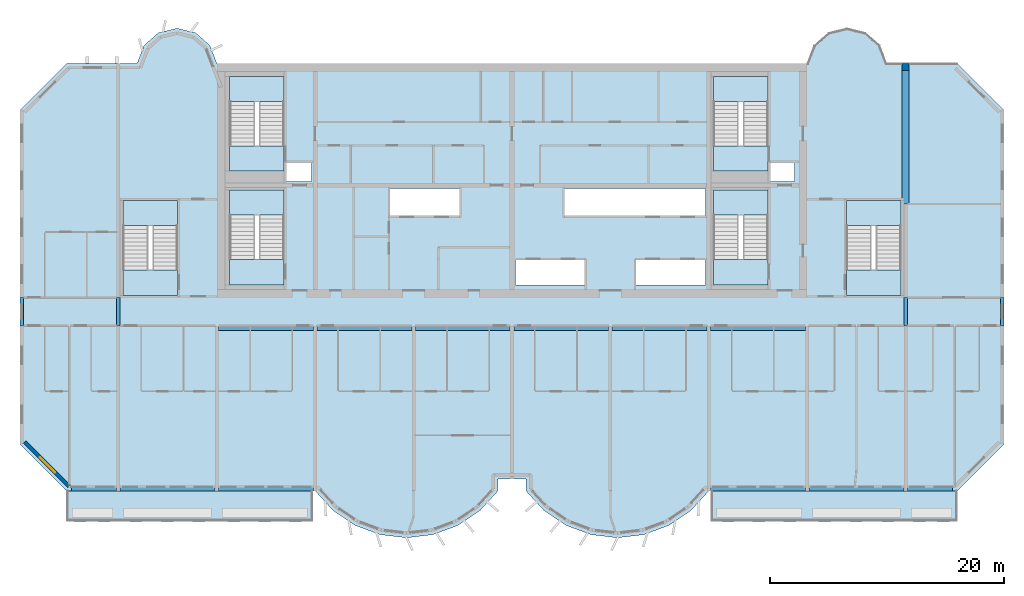
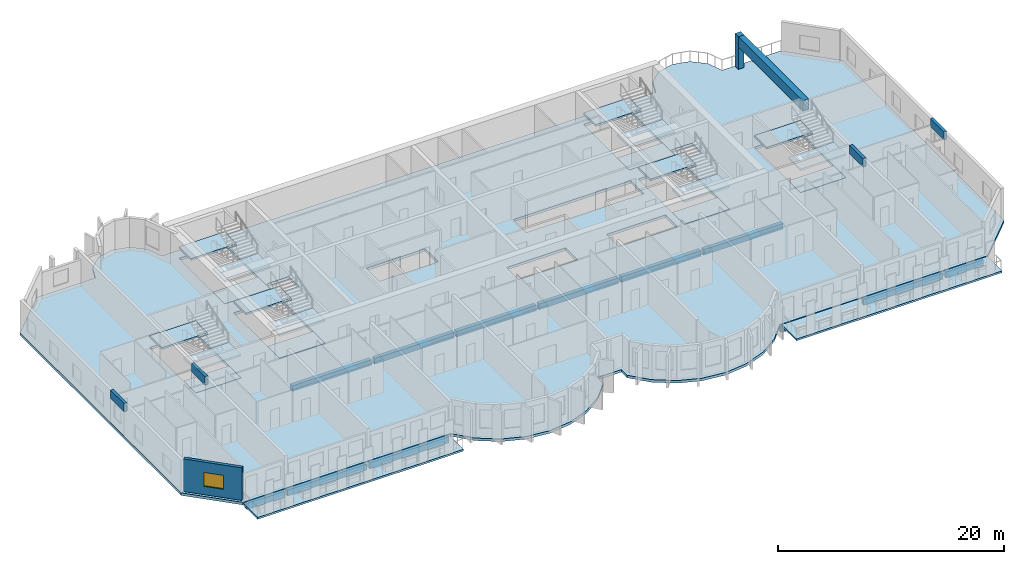
# One storey, part 1 of 13: 21 slabs, 17 beams, 1 column, 1 wall, 1 window, 1 opening, 6 elements without a shape of their own.
"""IFC4 building model written with IfcOpenShell, lengths in metres."""

from ifc_helpers import new_model, si_unit, direction, frame, frame_2d, origin, origin_2d, place, context, subcontext, project, spatial, polyline, rectangle, outline, extrude, source, transform, mapped, material, layer, layer_set, material_profile, profile_set, type_object, element, fill, aggregate, save


model = new_model("IFC4")

# Units and contexts
model_context = context("Model", 3, precision=1e-05, world=origin(), true_north=direction((0.0, 1.0)))
body_context = subcontext(model_context, "Body", "Model", "MODEL_VIEW")
ifc_project = project(units=[si_unit("LENGTHUNIT", "METRE"), si_unit("AREAUNIT", "SQUARE_METRE"), si_unit("VOLUMEUNIT", "CUBIC_METRE"), si_unit("PLANEANGLEUNIT", "RADIAN"), si_unit("MASSUNIT", "GRAM", prefix="KILO")], contexts=[model_context])

# Site, building, storey
site_placement = place(None, origin())
site = spatial("IfcSite", under=ifc_project, at=site_placement, CompositionType="ELEMENT")
building_placement = place(site_placement, origin())
building = spatial("IfcBuilding", under=site, at=building_placement, Name="Vanashikhar Sky Hotel", CompositionType="ELEMENT")
storey_placement = place(building_placement, frame((0.0, 0.0, 185.800048828125)))
storey = spatial("IfcBuildingStorey", under=building, at=storey_placement, Name="L45", CompositionType="ELEMENT", Elevation=185.800048828125)

# Column
ifc_material_1 = material(Name="Concrete M60", Category="concrete")
ifc_material_profile_1 = material_profile(ifc_material_1, rectangle(XDim=0.60009765625, YDim=0.60009765625, at=origin_2d()))
ifc_profile_set_1 = profile_set([ifc_material_profile_1], Name="RC 600x600 column Concrete M60")
column_type = type_object("IfcColumnType", Name="RC 600x600 column Concrete M60", PredefinedType="COLUMN", material=ifc_profile_set_1)
shared_shape_1 = source(origin(), body_context, "Body", "SweptSolid", [
    extrude(rectangle(XDim=0.60009765625, YDim=0.60009765625, at=origin_2d()), origin(), (0.0, 0.0, 1.0), 3.52001953125),
])
column_placement = place(storey_placement, frame((84.0, 41.699951171875, 0.0), z_axis=(0.0, 0.0, 1.0), x_axis=(1.0, 0.0, 0.0)))
element("IfcColumn", 1, at=column_placement, inside=storey, type_object=column_type, Name="CL-L45-CRF", PredefinedType="COLUMN", context=body_context, shape_type="MappedRepresentation", body=[
    mapped(shared_shape_1, transform((0.0, 0.0, 0.0), scale=1.0)),
])

# Beams
ifc_material_2 = material(Name="Concrete M50", Category="concrete")
ifc_material_profile_2 = material_profile(ifc_material_2, rectangle(XDim=0.60009765625, YDim=1.10009765625, at=origin_2d()))
ifc_profile_set_2 = profile_set([ifc_material_profile_2], Name="RC 600x1100 beam Concrete M50")
beam_type_1 = type_object("IfcBeamType", Name="RC 600x1100 beam Concrete M50", PredefinedType="BEAM", material=ifc_profile_set_2)
shared_shape_2 = source(origin(), body_context, "Body", "SweptSolid", [
    extrude(rectangle(XDim=0.60009765625, YDim=1.10009765625, at=origin_2d()), origin(), (0.0, 0.0, 1.0), 11.39990234375),
])
beam_1_placement = place(storey_placement, frame((84.0, 30.0, 2.969970703125), z_axis=(0.0, 1.0, 0.0), x_axis=(-1.0, 0.0, 0.0)))
element("IfcBeam", 2, at=beam_1_placement, inside=storey, type_object=beam_type_1, Name="LB-L45-XW11-O1", PredefinedType="BEAM", context=body_context, shape_type="MappedRepresentation", body=[
    mapped(shared_shape_2, transform((0.0, 0.0, 0.0), scale=1.0)),
])
ifc_material_profile_3 = material_profile(ifc_material_2, rectangle(XDim=0.300048828125, YDim=0.89990234375, at=origin_2d()))
ifc_profile_set_3 = profile_set([ifc_material_profile_3], Name="RC 300x900 beam Concrete M50")
beam_type_2 = type_object("IfcBeamType", Name="RC 300x900 beam Concrete M50", PredefinedType="LINTEL", material=ifc_profile_set_3)
shared_shape_3 = source(origin(), body_context, "Body", "SweptSolid", [
    extrude(rectangle(XDim=0.300048828125, YDim=0.89990234375, at=origin_2d()), origin(), (0.0, 0.0, 1.0), 2.39990234375),
])
for number, where, z_axis, x_axis, name in (
    (3, (8.550048828125, 19.60009765625, 3.070068359375), (0.0, 1.0, 0.0), (-1.0, 0.0, 0.0), "LB-L45-XW02"),
    (4, (16.800048828125, 19.60009765625, 3.070068359375), (0.0, 1.0, 0.0), (-1.0, 0.0, 0.0), "LB-L45-XW03"),
    (5, (84.0, 19.60009765625, 3.070068359375), (0.0, 1.0, 0.0), (-1.0, 0.0, 0.0), "LB-L45-XW11"),
    (6, (92.25, 19.60009765625, 3.070068359375), (0.0, 1.0, 0.0), (-1.0, 0.0, 0.0), "LB-L45-XW12"),
):
    element("IfcBeam", number, at=place(storey_placement, frame(where, z_axis=z_axis, x_axis=x_axis)), inside=storey, type_object=beam_type_2, Name=name, PredefinedType="LINTEL", context=body_context, shape_type="MappedRepresentation", body=[
        mapped(shared_shape_3, transform((0.0, 0.0, 0.0), scale=1.0)),
    ])
ifc_material_profile_4 = material_profile(ifc_material_2, rectangle(XDim=0.39990234375, YDim=0.64990234375, at=origin_2d()))
ifc_profile_set_4 = profile_set([ifc_material_profile_4], Name="RC 400x650 beam Concrete M50")
beam_type_3 = type_object("IfcBeamType", Name="RC 400x650 beam Concrete M50", PredefinedType="BEAM", material=ifc_profile_set_4)
shared_shape_4 = source(origin(), body_context, "Body", "SweptSolid", [
    extrude(rectangle(XDim=0.39990234375, YDim=0.64990234375, at=origin_2d()), origin(), (0.0, 0.0, 1.0), 8.10009765625),
])
for number, where, z_axis, x_axis, name in (
    (7, (16.949951171875, 5.699951171875, -0.60498046875), (1.0, 0.0, 0.0), (0.0, 1.0, 0.0), "EB-L45-F01"),
    (8, (75.75, 5.699951171875, -0.60498046875), (1.0, 0.0, 0.0), (0.0, 1.0, 0.0), "EB-L45-F05"),
):
    element("IfcBeam", number, at=place(storey_placement, frame(where, z_axis=z_axis, x_axis=x_axis)), inside=storey, type_object=beam_type_3, Name=name, PredefinedType="BEAM", context=body_context, shape_type="MappedRepresentation", body=[
        mapped(shared_shape_4, transform((0.0, 0.0, 0.0), scale=1.0)),
    ])
shared_shape_5 = source(origin(), body_context, "Body", "SweptSolid", [
    extrude(rectangle(XDim=0.39990234375, YDim=0.64990234375, at=origin_2d()), origin(), (0.0, 0.0, 1.0), 8.099853515625),
])
for number, where, z_axis, x_axis, name in (
    (9, (25.35009765625, 5.699951171875, -0.60498046875), (1.0, 0.0, 0.0), (0.0, 1.0, 0.0), "EB-L45-F02"),
    (10, (67.35009765625, 5.699951171875, -0.60498046875), (1.0, 0.0, 0.0), (0.0, 1.0, 0.0), "EB-L45-F04"),
):
    element("IfcBeam", number, at=place(storey_placement, frame(where, z_axis=z_axis, x_axis=x_axis)), inside=storey, type_object=beam_type_3, Name=name, PredefinedType="BEAM", context=body_context, shape_type="MappedRepresentation", body=[
        mapped(shared_shape_5, transform((0.0, 0.0, 0.0), scale=1.0)),
    ])
ifc_material_profile_5 = material_profile(ifc_material_2, rectangle(XDim=0.39990234375, YDim=0.64990234375, at=origin_2d()))
ifc_profile_set_5 = profile_set([ifc_material_profile_5], Name="RC 400x650 cantilever beam Concrete M50")
beam_type_4 = type_object("IfcBeamType", Name="RC 400x650 cantilever beam Concrete M50", PredefinedType="SPANDREL", material=ifc_profile_set_5)
shared_shape_6 = source(origin(), body_context, "Body", "SweptSolid", [
    extrude(rectangle(XDim=0.39990234375, YDim=0.64990234375, at=origin_2d()), origin(), (0.0, 0.0, 1.0), 3.849853515625),
])
beam_2_placement = place(storey_placement, frame((12.800048828125, 5.699951171875, -0.60498046875), z_axis=(1.0, 0.0, 0.0), x_axis=(0.0, 1.0, 0.0)))
element("IfcBeam", 11, at=beam_2_placement, inside=storey, type_object=beam_type_4, Name="EB-L45-F03", PredefinedType="SPANDREL", context=body_context, shape_type="MappedRepresentation", body=[
    mapped(shared_shape_6, transform((0.0, 0.0, 0.0), scale=1.0)),
])
shared_shape_7 = source(origin(), body_context, "Body", "SweptSolid", [
    extrude(rectangle(XDim=0.39990234375, YDim=0.64990234375, at=origin_2d()), origin(), (0.0, 0.0, 1.0), 3.85009765625),
])
beam_3_placement = place(storey_placement, frame((84.14990234375, 5.699951171875, -0.60498046875), z_axis=(1.0, 0.0, 0.0), x_axis=(0.0, 1.0, 0.0)))
element("IfcBeam", 12, at=beam_3_placement, inside=storey, type_object=beam_type_4, Name="EB-L45-F06", PredefinedType="SPANDREL", context=body_context, shape_type="MappedRepresentation", body=[
    mapped(shared_shape_7, transform((0.0, 0.0, 0.0), scale=1.0)),
])
ifc_material_profile_6 = material_profile(ifc_material_2, rectangle(XDim=0.39990234375, YDim=0.60009765625, at=origin_2d()))
ifc_profile_set_6 = profile_set([ifc_material_profile_6], Name="RC 400x600 beam Concrete M50")
beam_type_5 = type_object("IfcBeamType", Name="RC 400x600 beam Concrete M50", PredefinedType="BEAM", material=ifc_profile_set_6)
shared_shape_8 = source(origin(), body_context, "Body", "SweptSolid", [
    extrude(rectangle(XDim=0.39990234375, YDim=0.60009765625, at=origin_2d()), origin(), (0.0, 0.0, 1.0), 8.099853515625),
])
for number, where, z_axis, x_axis, name in (
    (13, (25.35009765625, 19.39990234375, -0.580078125), (1.0, 0.0, 0.0), (0.0, 1.0, 0.0), "CB-L45-01"),
    (14, (50.550048828125, 19.39990234375, -0.580078125), (1.0, 0.0, 0.0), (0.0, 1.0, 0.0), "CB-L45-04"),
    (15, (67.35009765625, 19.39990234375, -0.580078125), (1.0, 0.0, 0.0), (0.0, 1.0, 0.0), "CB-L45-06"),
):
    element("IfcBeam", number, at=place(storey_placement, frame(where, z_axis=z_axis, x_axis=x_axis)), inside=storey, type_object=beam_type_5, Name=name, PredefinedType="BEAM", context=body_context, shape_type="MappedRepresentation", body=[
        mapped(shared_shape_8, transform((0.0, 0.0, 0.0), scale=1.0)),
    ])
shared_shape_9 = source(origin(), body_context, "Body", "SweptSolid", [
    extrude(rectangle(XDim=0.39990234375, YDim=0.60009765625, at=origin_2d()), origin(), (0.0, 0.0, 1.0), 8.10009765625),
])
for number, where, z_axis, x_axis, name in (
    (16, (33.75, 19.39990234375, -0.580078125), (1.0, 0.0, 0.0), (0.0, 1.0, 0.0), "CB-L45-02"),
    (17, (42.14990234375, 19.39990234375, -0.580078125), (1.0, 0.0, 0.0), (0.0, 1.0, 0.0), "CB-L45-03"),
    (18, (58.949951171875, 19.39990234375, -0.580078125), (1.0, 0.0, 0.0), (0.0, 1.0, 0.0), "CB-L45-05"),
):
    element("IfcBeam", number, at=place(storey_placement, frame(where, z_axis=z_axis, x_axis=x_axis)), inside=storey, type_object=beam_type_5, Name=name, PredefinedType="BEAM", context=body_context, shape_type="MappedRepresentation", body=[
        mapped(shared_shape_9, transform((0.0, 0.0, 0.0), scale=1.0)),
    ])

# Slabs
ifc_material_3 = material(Name="Concrete M40", Category="concrete")
ifc_layer_1 = layer(ifc_material_3, 0.280029296875)
ifc_layer_set_1 = layer_set([ifc_layer_1], Name="Floor slab 280 mm")
slab_type_1 = type_object("IfcSlabType", Name="Floor slab 280 mm", PredefinedType="FLOOR", material=ifc_layer_set_1)
shared_shape_10 = source(origin(), body_context, "Body", "SweptSolid", [
    extrude(outline(polyline([(49.199951171875, 5.5), (49.199951171875, 6.5), (51.60009765625, 6.5), (51.60009765625, 5.5), (53.133056640625, 3.825927734375), (55.01708984375, 2.55810546875), (57.14599609375, 1.76806640625), (59.39990234375, 1.5), (61.654052734375, 1.76806640625), (63.782958984375, 2.55810546875), (65.6669921875, 3.825927734375), (67.199951171875, 5.5), (88.39990234375, 5.5), (92.39990234375, 9.5), (92.39990234375, 38.0), (88.39990234375, 42.0), (82.39990234375, 42.0), (81.81494140625, 43.527099609375), (80.587890625, 44.610107421875), (79.0, 45.0), (77.412109375, 44.610107421875), (76.18505859375, 43.527099609375), (75.60009765625, 42.0), (25.199951171875, 42.0), (24.614990234375, 43.527099609375), (23.387939453125, 44.610107421875), (21.800048828125, 45.0), (20.2119140625, 44.610107421875), (18.985107421875, 43.527099609375), (18.39990234375, 42.0), (12.39990234375, 42.0), (8.39990234375, 38.0), (8.39990234375, 9.5), (12.39990234375, 5.5), (33.60009765625, 5.5), (35.133056640625, 3.825927734375), (37.01708984375, 2.55810546875), (39.14599609375, 1.76806640625), (41.39990234375, 1.5), (43.654052734375, 1.76806640625), (45.782958984375, 2.55810546875), (47.6669921875, 3.825927734375), (49.199951171875, 5.5)]), holes=[polyline([(33.300048828125, 33.60009765625), (31.050048828125, 33.60009765625), (31.050048828125, 31.89990234375), (33.300048828125, 31.89990234375), (33.300048828125, 33.60009765625)]), polyline([(39.89990234375, 31.300048828125), (39.89990234375, 29.0), (45.89990234375, 29.0), (45.89990234375, 31.300048828125), (39.89990234375, 31.300048828125)]), polyline([(50.699951171875, 25.199951171875), (50.699951171875, 23.10009765625), (56.699951171875, 23.10009765625), (56.699951171875, 25.199951171875), (50.699951171875, 25.199951171875)]), polyline([(66.89990234375, 29.0), (66.89990234375, 31.300048828125), (54.89990234375, 31.300048828125), (54.89990234375, 29.0), (66.89990234375, 29.0)]), polyline([(60.89990234375, 25.199951171875), (60.89990234375, 23.10009765625), (66.89990234375, 23.10009765625), (66.89990234375, 25.199951171875), (60.89990234375, 25.199951171875)]), polyline([(74.5, 33.60009765625), (72.35009765625, 33.60009765625), (72.35009765625, 31.89990234375), (74.5, 31.89990234375), (74.5, 33.60009765625)]), polyline([(30.949951171875, 23.10009765625), (30.949951171875, 31.199951171875), (26.300048828125, 31.199951171875), (26.300048828125, 23.10009765625), (30.949951171875, 23.10009765625)]), polyline([(72.25, 23.10009765625), (72.25, 31.199951171875), (67.60009765625, 31.199951171875), (67.60009765625, 23.10009765625), (72.25, 23.10009765625)]), polyline([(30.949951171875, 32.800048828125), (30.949951171875, 40.89990234375), (26.300048828125, 40.89990234375), (26.300048828125, 32.800048828125), (30.949951171875, 32.800048828125)]), polyline([(72.25, 32.800048828125), (72.25, 40.89990234375), (67.60009765625, 40.89990234375), (67.60009765625, 32.800048828125), (72.25, 32.800048828125)]), polyline([(83.60009765625, 22.199951171875), (83.60009765625, 30.300048828125), (78.949951171875, 30.300048828125), (78.949951171875, 22.199951171875), (83.60009765625, 22.199951171875)]), polyline([(21.85009765625, 22.199951171875), (21.85009765625, 30.300048828125), (17.199951171875, 30.300048828125), (17.199951171875, 22.199951171875), (21.85009765625, 22.199951171875)])]), origin(), (0.0, 0.0, 1.0), 0.280029296875),
])
slab_1_placement = place(storey_placement, frame((0.0, 0.0, -0.280029296875)))
element("IfcSlab", 19, at=slab_1_placement, inside=storey, type_object=slab_type_1, Name="Floor slab L45", PredefinedType="FLOOR", context=body_context, shape_type="MappedRepresentation", body=[
    mapped(shared_shape_10, transform((0.0, 0.0, 0.0), scale=1.0)),
])
ifc_layer_2 = layer(ifc_material_3, 0.199951171875)
ifc_layer_set_2 = layer_set([ifc_layer_2], Name="Balcony slab 200 mm")
slab_type_2 = type_object("IfcSlabType", Name="Balcony slab 200 mm", PredefinedType="USERDEFINED", material=ifc_layer_set_2)
shared_shape_11 = source(origin(), body_context, "Body", "SweptSolid", [
    extrude(outline(polyline([(12.39990234375, 2.89990234375), (33.39990234375, 2.89990234375), (33.39990234375, 5.5), (12.39990234375, 5.5), (12.39990234375, 2.89990234375)])), origin(), (0.0, 0.0, 1.0), 0.199951171875),
])
slab_2_placement = place(storey_placement, frame((0.0, 0.0, -0.25)))
element("IfcSlab", 20, at=slab_2_placement, inside=storey, type_object=slab_type_2, Name="Balcony slab L45 1", ObjectType="BALCONY", PredefinedType="USERDEFINED", context=body_context, shape_type="MappedRepresentation", body=[
    mapped(shared_shape_11, transform((0.0, 0.0, 0.0), scale=1.0)),
])
shared_shape_12 = source(origin(), body_context, "Body", "SweptSolid", [
    extrude(outline(polyline([(67.39990234375, 2.89990234375), (88.39990234375, 2.89990234375), (88.39990234375, 5.5), (67.39990234375, 5.5), (67.39990234375, 2.89990234375)])), origin(), (0.0, 0.0, 1.0), 0.199951171875),
])
slab_3_placement = place(storey_placement, frame((0.0, 0.0, -0.25)))
element("IfcSlab", 21, at=slab_3_placement, inside=storey, type_object=slab_type_2, Name="Balcony slab L45 2", ObjectType="BALCONY", PredefinedType="USERDEFINED", context=body_context, shape_type="MappedRepresentation", body=[
    mapped(shared_shape_12, transform((0.0, 0.0, 0.0), scale=1.0)),
])

# Stair, slabs
stair_type = type_object("IfcStairType", Name="Exit stair 2150", PredefinedType="DOUBLE_RETURN_STAIR", material=ifc_material_3)
stair_1_placement = place(storey_placement, origin())
stair_1 = element("IfcStair", 22, at=stair_1_placement, inside=storey, type_object=stair_type, Name="L45 Exit stair 1", PredefinedType="DOUBLE_RETURN_STAIR")
ifc_layer_3 = layer(ifc_material_3, 0.199951171875)
ifc_layer_set_3 = layer_set([ifc_layer_3], Name="Stair landing 200")
slab_type_3 = type_object("IfcSlabType", Name="Stair landing 200", PredefinedType="LANDING", material=ifc_layer_set_3)
shared_shape_13 = source(origin(), body_context, "Body", "SweptSolid", [
    extrude(outline(polyline([(30.949951171875, 29.050048828125), (30.949951171875, 31.199951171875), (26.300048828125, 31.199951171875), (26.300048828125, 29.050048828125), (30.949951171875, 29.050048828125)])), origin(), (0.0, 0.0, 1.0), 0.199951171875),
])
slab_4_placement = place(storey_placement, frame((0.0, 0.0, 1.066650390625)))
slab_4 = element("IfcSlab", 23, at=slab_4_placement, type_object=slab_type_3, Name="ST-C1 landing 1", PredefinedType="LANDING", context=body_context, shape_type="MappedRepresentation", body=[
    mapped(shared_shape_13, transform((0.0, 0.0, 0.0), scale=1.0)),
])
shared_shape_14 = source(origin(), body_context, "Body", "SweptSolid", [
    extrude(outline(polyline([(30.949951171875, 23.10009765625), (30.949951171875, 25.25), (26.300048828125, 25.25), (26.300048828125, 23.10009765625), (30.949951171875, 23.10009765625)])), origin(), (0.0, 0.0, 1.0), 0.199951171875),
])
slab_5_placement = place(storey_placement, frame((0.0, 0.0, 2.333251953125)))
slab_5 = element("IfcSlab", 24, at=slab_5_placement, type_object=slab_type_3, Name="ST-C1 landing 2", PredefinedType="LANDING", context=body_context, shape_type="MappedRepresentation", body=[
    mapped(shared_shape_14, transform((0.0, 0.0, 0.0), scale=1.0)),
])
aggregate(stair_1, [slab_4, slab_5])

# Slab
ifc_layer_4 = layer(ifc_material_3, 0.280029296875)
ifc_layer_set_4 = layer_set([ifc_layer_4], Name="Stair floor landing 280")
slab_type_4 = type_object("IfcSlabType", Name="Stair floor landing 280", PredefinedType="LANDING", material=ifc_layer_set_4)
shared_shape_15 = source(origin(), body_context, "Body", "SweptSolid", [
    extrude(outline(polyline([(30.949951171875, 23.10009765625), (30.949951171875, 25.25), (26.300048828125, 25.25), (26.300048828125, 23.10009765625), (30.949951171875, 23.10009765625)])), origin(), (0.0, 0.0, 1.0), 0.280029296875),
])
slab_6_placement = place(storey_placement, frame((0.0, 0.0, -0.280029296875)))
element("IfcSlab", 25, at=slab_6_placement, inside=storey, type_object=slab_type_4, Name="Exit stair 1 floor landing", PredefinedType="LANDING", context=body_context, shape_type="MappedRepresentation", body=[
    mapped(shared_shape_15, transform((0.0, 0.0, 0.0), scale=1.0)),
])

# Stair, slabs
stair_2_placement = place(storey_placement, origin())
stair_2 = element("IfcStair", 26, at=stair_2_placement, inside=storey, type_object=stair_type, Name="L45 Exit stair 2", PredefinedType="DOUBLE_RETURN_STAIR")
shared_shape_16 = source(origin(), body_context, "Body", "SweptSolid", [
    extrude(outline(polyline([(72.25, 29.050048828125), (72.25, 31.199951171875), (67.60009765625, 31.199951171875), (67.60009765625, 29.050048828125), (72.25, 29.050048828125)])), origin(), (0.0, 0.0, 1.0), 0.199951171875),
])
slab_7_placement = place(storey_placement, frame((0.0, 0.0, 1.066650390625)))
slab_7 = element("IfcSlab", 27, at=slab_7_placement, type_object=slab_type_3, Name="ST-C2 landing 1", PredefinedType="LANDING", context=body_context, shape_type="MappedRepresentation", body=[
    mapped(shared_shape_16, transform((0.0, 0.0, 0.0), scale=1.0)),
])
shared_shape_17 = source(origin(), body_context, "Body", "SweptSolid", [
    extrude(outline(polyline([(72.25, 23.10009765625), (72.25, 25.25), (67.60009765625, 25.25), (67.60009765625, 23.10009765625), (72.25, 23.10009765625)])), origin(), (0.0, 0.0, 1.0), 0.199951171875),
])
slab_8_placement = place(storey_placement, frame((0.0, 0.0, 2.333251953125)))
slab_8 = element("IfcSlab", 28, at=slab_8_placement, type_object=slab_type_3, Name="ST-C2 landing 2", PredefinedType="LANDING", context=body_context, shape_type="MappedRepresentation", body=[
    mapped(shared_shape_17, transform((0.0, 0.0, 0.0), scale=1.0)),
])
aggregate(stair_2, [slab_7, slab_8])

# Slab
shared_shape_18 = source(origin(), body_context, "Body", "SweptSolid", [
    extrude(outline(polyline([(72.25, 23.10009765625), (72.25, 25.25), (67.60009765625, 25.25), (67.60009765625, 23.10009765625), (72.25, 23.10009765625)])), origin(), (0.0, 0.0, 1.0), 0.280029296875),
])
slab_9_placement = place(storey_placement, frame((0.0, 0.0, -0.280029296875)))
element("IfcSlab", 29, at=slab_9_placement, inside=storey, type_object=slab_type_4, Name="Exit stair 2 floor landing", PredefinedType="LANDING", context=body_context, shape_type="MappedRepresentation", body=[
    mapped(shared_shape_18, transform((0.0, 0.0, 0.0), scale=1.0)),
])

# Stair, slabs
stair_3_placement = place(storey_placement, origin())
stair_3 = element("IfcStair", 30, at=stair_3_placement, inside=storey, type_object=stair_type, Name="L45 Exit stair 3", PredefinedType="DOUBLE_RETURN_STAIR")
shared_shape_19 = source(origin(), body_context, "Body", "SweptSolid", [
    extrude(outline(polyline([(21.85009765625, 28.14990234375), (21.85009765625, 30.300048828125), (17.199951171875, 30.300048828125), (17.199951171875, 28.14990234375), (21.85009765625, 28.14990234375)])), origin(), (0.0, 0.0, 1.0), 0.199951171875),
])
slab_10_placement = place(storey_placement, frame((0.0, 0.0, 1.066650390625)))
slab_10 = element("IfcSlab", 31, at=slab_10_placement, type_object=slab_type_3, Name="ST-W landing 1", PredefinedType="LANDING", context=body_context, shape_type="MappedRepresentation", body=[
    mapped(shared_shape_19, transform((0.0, 0.0, 0.0), scale=1.0)),
])
shared_shape_20 = source(origin(), body_context, "Body", "SweptSolid", [
    extrude(outline(polyline([(21.85009765625, 22.199951171875), (21.85009765625, 24.35009765625), (17.199951171875, 24.35009765625), (17.199951171875, 22.199951171875), (21.85009765625, 22.199951171875)])), origin(), (0.0, 0.0, 1.0), 0.199951171875),
])
slab_11_placement = place(storey_placement, frame((0.0, 0.0, 2.333251953125)))
slab_11 = element("IfcSlab", 32, at=slab_11_placement, type_object=slab_type_3, Name="ST-W landing 2", PredefinedType="LANDING", context=body_context, shape_type="MappedRepresentation", body=[
    mapped(shared_shape_20, transform((0.0, 0.0, 0.0), scale=1.0)),
])
aggregate(stair_3, [slab_10, slab_11])

# Slab
shared_shape_21 = source(origin(), body_context, "Body", "SweptSolid", [
    extrude(outline(polyline([(21.85009765625, 22.199951171875), (21.85009765625, 24.35009765625), (17.199951171875, 24.35009765625), (17.199951171875, 22.199951171875), (21.85009765625, 22.199951171875)])), origin(), (0.0, 0.0, 1.0), 0.280029296875),
])
slab_12_placement = place(storey_placement, frame((0.0, 0.0, -0.280029296875)))
element("IfcSlab", 33, at=slab_12_placement, inside=storey, type_object=slab_type_4, Name="Exit stair 3 floor landing", PredefinedType="LANDING", context=body_context, shape_type="MappedRepresentation", body=[
    mapped(shared_shape_21, transform((0.0, 0.0, 0.0), scale=1.0)),
])

# Stair, slabs
stair_4_placement = place(storey_placement, origin())
stair_4 = element("IfcStair", 34, at=stair_4_placement, inside=storey, type_object=stair_type, Name="L45 Exit stair 4", PredefinedType="DOUBLE_RETURN_STAIR")
shared_shape_22 = source(origin(), body_context, "Body", "SweptSolid", [
    extrude(outline(polyline([(83.60009765625, 28.14990234375), (83.60009765625, 30.300048828125), (78.949951171875, 30.300048828125), (78.949951171875, 28.14990234375), (83.60009765625, 28.14990234375)])), origin(), (0.0, 0.0, 1.0), 0.199951171875),
])
slab_13_placement = place(storey_placement, frame((0.0, 0.0, 1.066650390625)))
slab_13 = element("IfcSlab", 35, at=slab_13_placement, type_object=slab_type_3, Name="ST-E landing 1", PredefinedType="LANDING", context=body_context, shape_type="MappedRepresentation", body=[
    mapped(shared_shape_22, transform((0.0, 0.0, 0.0), scale=1.0)),
])
shared_shape_23 = source(origin(), body_context, "Body", "SweptSolid", [
    extrude(outline(polyline([(83.60009765625, 22.199951171875), (83.60009765625, 24.35009765625), (78.949951171875, 24.35009765625), (78.949951171875, 22.199951171875), (83.60009765625, 22.199951171875)])), origin(), (0.0, 0.0, 1.0), 0.199951171875),
])
slab_14_placement = place(storey_placement, frame((0.0, 0.0, 2.333251953125)))
slab_14 = element("IfcSlab", 36, at=slab_14_placement, type_object=slab_type_3, Name="ST-E landing 2", PredefinedType="LANDING", context=body_context, shape_type="MappedRepresentation", body=[
    mapped(shared_shape_23, transform((0.0, 0.0, 0.0), scale=1.0)),
])
aggregate(stair_4, [slab_13, slab_14])

# Slab
shared_shape_24 = source(origin(), body_context, "Body", "SweptSolid", [
    extrude(outline(polyline([(83.60009765625, 22.199951171875), (83.60009765625, 24.35009765625), (78.949951171875, 24.35009765625), (78.949951171875, 22.199951171875), (83.60009765625, 22.199951171875)])), origin(), (0.0, 0.0, 1.0), 0.280029296875),
])
slab_15_placement = place(storey_placement, frame((0.0, 0.0, -0.280029296875)))
element("IfcSlab", 37, at=slab_15_placement, inside=storey, type_object=slab_type_4, Name="Exit stair 4 floor landing", PredefinedType="LANDING", context=body_context, shape_type="MappedRepresentation", body=[
    mapped(shared_shape_24, transform((0.0, 0.0, 0.0), scale=1.0)),
])

# Stair, slabs
stair_5_placement = place(storey_placement, origin())
stair_5 = element("IfcStair", 38, at=stair_5_placement, inside=storey, type_object=stair_type, Name="L45 Exit stair 5", PredefinedType="DOUBLE_RETURN_STAIR")
shared_shape_25 = source(origin(), body_context, "Body", "SweptSolid", [
    extrude(outline(polyline([(30.949951171875, 38.75), (30.949951171875, 40.89990234375), (26.300048828125, 40.89990234375), (26.300048828125, 38.75), (30.949951171875, 38.75)])), origin(), (0.0, 0.0, 1.0), 0.199951171875),
])
slab_16_placement = place(storey_placement, frame((0.0, 0.0, 1.066650390625)))
slab_16 = element("IfcSlab", 39, at=slab_16_placement, type_object=slab_type_3, Name="ST-C3 landing 1", PredefinedType="LANDING", context=body_context, shape_type="MappedRepresentation", body=[
    mapped(shared_shape_25, transform((0.0, 0.0, 0.0), scale=1.0)),
])
shared_shape_26 = source(origin(), body_context, "Body", "SweptSolid", [
    extrude(outline(polyline([(30.949951171875, 32.800048828125), (30.949951171875, 34.949951171875), (26.300048828125, 34.949951171875), (26.300048828125, 32.800048828125), (30.949951171875, 32.800048828125)])), origin(), (0.0, 0.0, 1.0), 0.199951171875),
])
slab_17_placement = place(storey_placement, frame((0.0, 0.0, 2.333251953125)))
slab_17 = element("IfcSlab", 40, at=slab_17_placement, type_object=slab_type_3, Name="ST-C3 landing 2", PredefinedType="LANDING", context=body_context, shape_type="MappedRepresentation", body=[
    mapped(shared_shape_26, transform((0.0, 0.0, 0.0), scale=1.0)),
])
aggregate(stair_5, [slab_16, slab_17])

# Slab
shared_shape_27 = source(origin(), body_context, "Body", "SweptSolid", [
    extrude(outline(polyline([(30.949951171875, 32.800048828125), (30.949951171875, 34.949951171875), (26.300048828125, 34.949951171875), (26.300048828125, 32.800048828125), (30.949951171875, 32.800048828125)])), origin(), (0.0, 0.0, 1.0), 0.280029296875),
])
slab_18_placement = place(storey_placement, frame((0.0, 0.0, -0.280029296875)))
element("IfcSlab", 41, at=slab_18_placement, inside=storey, type_object=slab_type_4, Name="Exit stair 5 floor landing", PredefinedType="LANDING", context=body_context, shape_type="MappedRepresentation", body=[
    mapped(shared_shape_27, transform((0.0, 0.0, 0.0), scale=1.0)),
])

# Stair, slabs
stair_6_placement = place(storey_placement, origin())
stair_6 = element("IfcStair", 42, at=stair_6_placement, inside=storey, type_object=stair_type, Name="L45 Exit stair 6", PredefinedType="DOUBLE_RETURN_STAIR")
shared_shape_28 = source(origin(), body_context, "Body", "SweptSolid", [
    extrude(outline(polyline([(72.25, 38.75), (72.25, 40.89990234375), (67.60009765625, 40.89990234375), (67.60009765625, 38.75), (72.25, 38.75)])), origin(), (0.0, 0.0, 1.0), 0.199951171875),
])
slab_19_placement = place(storey_placement, frame((0.0, 0.0, 1.066650390625)))
slab_19 = element("IfcSlab", 43, at=slab_19_placement, type_object=slab_type_3, Name="ST-C4 landing 1", PredefinedType="LANDING", context=body_context, shape_type="MappedRepresentation", body=[
    mapped(shared_shape_28, transform((0.0, 0.0, 0.0), scale=1.0)),
])
shared_shape_29 = source(origin(), body_context, "Body", "SweptSolid", [
    extrude(outline(polyline([(72.25, 32.800048828125), (72.25, 34.949951171875), (67.60009765625, 34.949951171875), (67.60009765625, 32.800048828125), (72.25, 32.800048828125)])), origin(), (0.0, 0.0, 1.0), 0.199951171875),
])
slab_20_placement = place(storey_placement, frame((0.0, 0.0, 2.333251953125)))
slab_20 = element("IfcSlab", 44, at=slab_20_placement, type_object=slab_type_3, Name="ST-C4 landing 2", PredefinedType="LANDING", context=body_context, shape_type="MappedRepresentation", body=[
    mapped(shared_shape_29, transform((0.0, 0.0, 0.0), scale=1.0)),
])
aggregate(stair_6, [slab_19, slab_20])

# Slab
shared_shape_30 = source(origin(), body_context, "Body", "SweptSolid", [
    extrude(outline(polyline([(72.25, 32.800048828125), (72.25, 34.949951171875), (67.60009765625, 34.949951171875), (67.60009765625, 32.800048828125), (72.25, 32.800048828125)])), origin(), (0.0, 0.0, 1.0), 0.280029296875),
])
slab_21_placement = place(storey_placement, frame((0.0, 0.0, -0.280029296875)))
element("IfcSlab", 45, at=slab_21_placement, inside=storey, type_object=slab_type_4, Name="Exit stair 6 floor landing", PredefinedType="LANDING", context=body_context, shape_type="MappedRepresentation", body=[
    mapped(shared_shape_30, transform((0.0, 0.0, 0.0), scale=1.0)),
])

# Wall, opening, window
ifc_layer_5 = layer(ifc_material_2, 0.300048828125)
ifc_layer_set_5 = layer_set([ifc_layer_5], Name="Lobe wall 300")
wall_type = type_object("IfcWallType", Name="Lobe wall 300", PredefinedType="SOLIDWALL", material=ifc_layer_set_5)
shared_shape_31 = source(origin(), body_context, "Body", "SweptSolid", [
    extrude(rectangle(XDim=5.32568359375, YDim=0.300048828125, at=frame_2d((2.662841796875, 0.0))), origin(), (0.0, 0.0, 1.0), 3.52001953125),
])
wall_placement = place(storey_placement, frame((8.800048828125, 9.665771484375, 0.0), z_axis=(0.0, 0.0, 1.0), x_axis=(0.707083859269, -0.707129702361, 0.0)))
wall = element("IfcWall", 46, at=wall_placement, inside=storey, type_object=wall_type, Name="Corner wall", PredefinedType="SOLIDWALL", context=body_context, shape_type="MappedRepresentation", body=[
    mapped(shared_shape_31, transform((0.0, 0.0, 0.0), scale=1.0)),
])
shared_shape_32 = source(origin(), body_context, "Body", "SweptSolid", [
    extrude(rectangle(XDim=1.800048828125, YDim=1.5, at=frame_2d((0.89990234375, 0.75))), frame((0.0, 0.16015625, 0.0), z_axis=(0.0, -1.0, 0.0), x_axis=(1.0, 0.0, 0.0)), (0.0, 0.0, 1.0), 0.320068359375),
])
opening_placement = place(wall_placement, frame((1.8359375, 0.0, 0.89990234375)))
opening = element("IfcOpeningElement", 47, at=opening_placement, cuts=wall, Name="Opening WN-4", PredefinedType="OPENING", context=body_context, shape_type="MappedRepresentation", body=[
    mapped(shared_shape_32, transform((0.0, 0.0, 0.0), scale=1.0)),
])
ifc_material_4 = material(Name="Glass", Category="glass")
window_type = type_object("IfcWindowType", Name="Corner window 1800 x 1500", PartitioningType="SINGLE_PANEL", PredefinedType="WINDOW", material=ifc_material_4)
shared_shape_33 = source(origin(), body_context, "Body", "SweptSolid", [
    extrude(rectangle(XDim=1.800048828125, YDim=1.5, at=frame_2d((0.89990234375, 0.75))), frame((0.0, 0.030029296875, 0.0), z_axis=(0.0, -1.0, 0.0), x_axis=(1.0, 0.0, 0.0)), (0.0, 0.0, 1.0), 0.06005859375),
])
window_placement = place(opening_placement, origin())
window = element("IfcWindow", 48, at=window_placement, inside=storey, type_object=window_type, Name="Window WN-4", OverallHeight=1.5, OverallWidth=1.800048828125, PartitioningType="SINGLE_PANEL", PredefinedType="WINDOW", context=body_context, shape_type="MappedRepresentation", body=[
    mapped(shared_shape_33, transform((0.0, 0.0, 0.0), scale=1.0)),
])
fill(opening, window)

save(model, "model.ifc")
